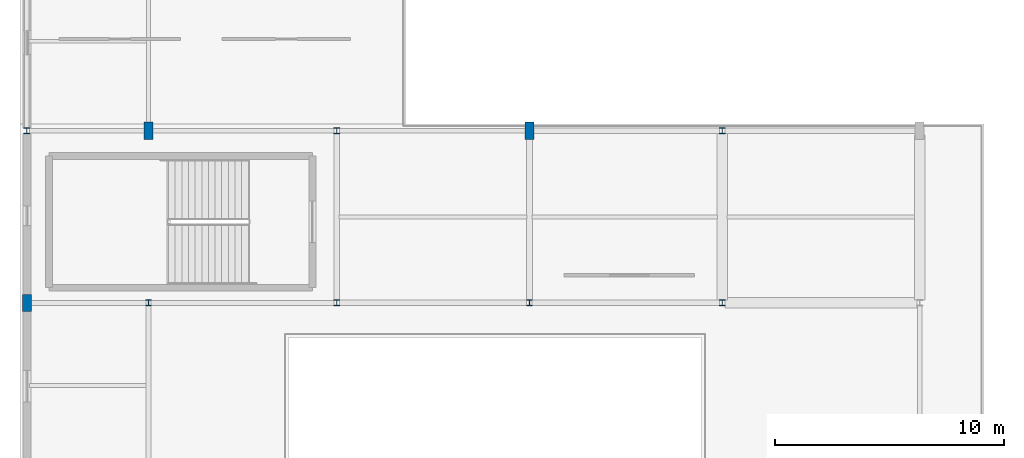
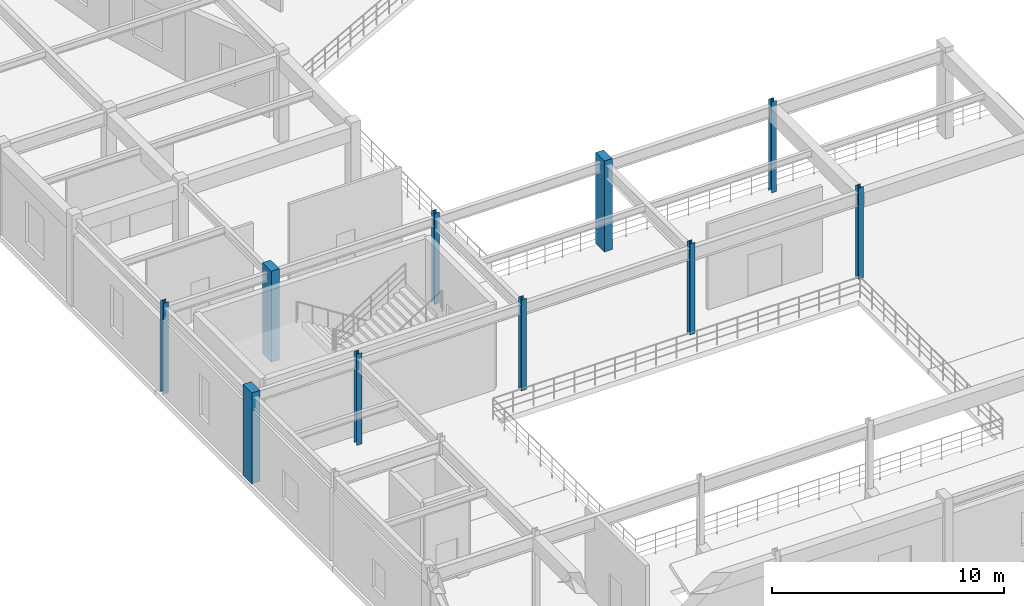
# One storey, part 3 of 144: 10 columns.
"""IFC4 building model written with IfcOpenShell, lengths in metres."""

from ifc_helpers import new_model, si_unit, direction, frame, origin, origin_2d, place, context, subcontext, project, spatial, rectangle, i_section, extrude, material, material_profile, profile_set, type_object, element, save


model = new_model("IFC4")

# Units and contexts
model_context = context("Model", 3, precision=1e-05, world=origin(), true_north=direction((0.0, 1.0)))
body_context = subcontext(model_context, "Body", "Model", "MODEL_VIEW")
ifc_project = project(units=[si_unit("LENGTHUNIT", "METRE"), si_unit("AREAUNIT", "SQUARE_METRE"), si_unit("VOLUMEUNIT", "CUBIC_METRE"), si_unit("PLANEANGLEUNIT", "RADIAN"), si_unit("MASSUNIT", "GRAM", prefix="KILO")], contexts=[model_context])

# Site, building, storey
site_placement = place(None, origin())
site = spatial("IfcSite", under=ifc_project, at=site_placement, CompositionType="ELEMENT")
building_placement = place(site_placement, origin())
building = spatial("IfcBuilding", under=site, at=building_placement, Name="Cinderbank Siding Concert Hall", CompositionType="ELEMENT")
storey_placement = place(building_placement, frame((0.0, 0.0, 5.39990234375)))
storey = spatial("IfcBuildingStorey", under=building, at=storey_placement, Name="L02", CompositionType="ELEMENT", Elevation=5.39990234375)

# Columns
ifc_material_1 = material(Name="Structural steel AS/NZS 3679.1 Grade 350 (340 MPa)", Category="steel")
ifc_material_profile_1 = material_profile(ifc_material_1, i_section(OverallWidth=0.25390625, OverallDepth=0.25390625, WebThickness=0.008544921875, FlangeThickness=0.01416015625, at=origin_2d()), Name="250UC72.9", Category="LoadBearing")
ifc_profile_set_1 = profile_set([ifc_material_profile_1], Name="Structural steel AS/NZS 3679.1 Grade 350 (340 MPa)")
column_type_1 = type_object("IfcColumnType", Name="C-UC250 250UC72.9", PredefinedType="COLUMN", material=ifc_profile_set_1)
for number, where, z_axis, x_axis, name in (
    (1, (7.10009765625, 35.5, 0.0), (0.0, 0.0, 1.0), (1.0, 0.0, 0.0), "L02 Column COL-V2-1-5"),
    (2, (12.39990234375, 28.0, 0.0), (0.0, 0.0, 1.0), (1.0, 0.0, 0.0), "L02 Column COL-V2-2-4"),
    (3, (20.60009765625, 28.0, 0.0), (0.0, 0.0, 1.0), (1.0, 0.0, 0.0), "L02 Column COL-V2-3-4"),
    (4, (20.60009765625, 35.5, 0.0), (0.0, 0.0, 1.0), (1.0, 0.0, 0.0), "L02 Column COL-V2-3-5"),
    (5, (29.0, 28.0, 0.0), (0.0, 0.0, 1.0), (1.0, 0.0, 0.0), "L02 Column COL-V2-4-4"),
    (6, (37.39990234375, 28.0, 0.0), (0.0, 0.0, 1.0), (1.0, 0.0, 0.0), "L02 Column COL-V2-5-4"),
    (7, (37.39990234375, 35.5, 0.0), (0.0, 0.0, 1.0), (1.0, 0.0, 0.0), "L02 Column COL-V2-5-5"),
):
    element("IfcColumn", number, at=place(storey_placement, frame(where, z_axis=z_axis, x_axis=x_axis)), inside=storey, type_object=column_type_1, Name=name, PredefinedType="COLUMN", context=body_context, shape_type="SweptSolid", body=[
        extrude(i_section(OverallWidth=0.25390625, OverallDepth=0.25390625, WebThickness=0.008544921875, FlangeThickness=0.01416015625, at=origin_2d()), origin(), (0.0, 0.0, 1.0), 4.800048828125),
    ])
ifc_material_2 = material(Name="Reinforced concrete AS 3600 N50 (50 MPa)", Category="concrete")
ifc_material_profile_2 = material_profile(ifc_material_2, rectangle(XDim=0.39990234375, YDim=0.75, at=origin_2d()), Name="RC-PIER-400x750", Category="LoadBearing")
ifc_profile_set_2 = profile_set([ifc_material_profile_2], Name="Reinforced concrete AS 3600 N50 (50 MPa)")
column_type_2 = type_object("IfcColumnType", Name="PL-RC750 RC-PIER-400x750", PredefinedType="PILASTER", material=ifc_profile_set_2)
for number, where, z_axis, x_axis, name in (
    (8, (7.10009765625, 28.0, 0.0), (0.0, 0.0, 1.0), (1.0, 0.0, 0.0), "L02 Column COL-V2-1-4"),
    (9, (12.39990234375, 35.5, 0.0), (0.0, 0.0, 1.0), (1.0, 0.0, 0.0), "L02 Column COL-V2-2-5"),
    (10, (29.0, 35.5, 0.0), (0.0, 0.0, 1.0), (1.0, 0.0, 0.0), "L02 Column COL-V2-4-5"),
):
    element("IfcColumn", number, at=place(storey_placement, frame(where, z_axis=z_axis, x_axis=x_axis)), inside=storey, type_object=column_type_2, Name=name, PredefinedType="PILASTER", context=body_context, shape_type="SweptSolid", body=[
        extrude(rectangle(XDim=0.39990234375, YDim=0.75, at=origin_2d()), origin(), (0.0, 0.0, 1.0), 4.800048828125),
    ])

save(model, "model.ifc")
